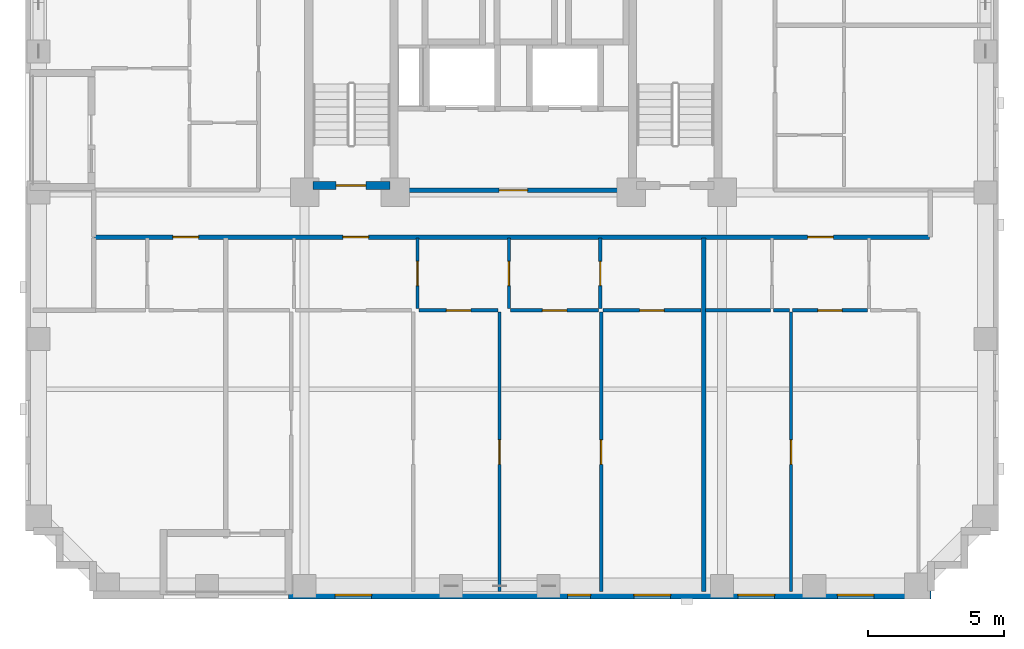
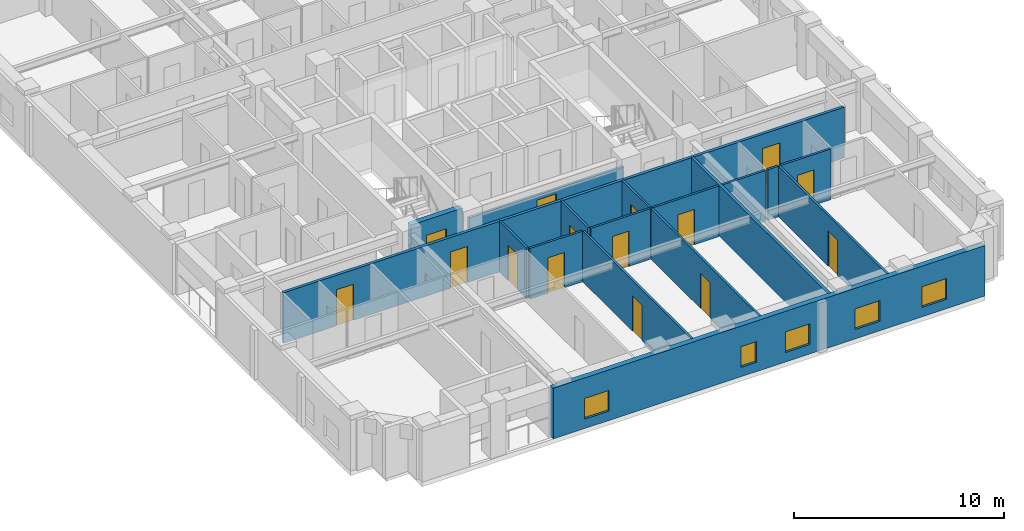
# One storey, part 3 of 12: 17 walls, 15 doors, 5 windows, 20 openings.
"""IFC4 building model written with IfcOpenShell, lengths in metres."""

from ifc_helpers import new_model, si_unit, derived_unit, direction, frame, frame_2d, origin, place, context, subcontext, project, spatial, rectangle, extrude, material, layer, layer_set, type_object, element, fill, save


model = new_model("IFC4")

# Units and contexts
model_context = context("Model", 3, precision=1e-05, world=origin(), true_north=direction((0.0, 1.0)))
body_context = subcontext(model_context, "Body", "Model", "MODEL_VIEW")
ifc_project = project(units=[si_unit("LENGTHUNIT", "METRE"), si_unit("AREAUNIT", "SQUARE_METRE"), si_unit("VOLUMEUNIT", "CUBIC_METRE"), si_unit("PLANEANGLEUNIT", "RADIAN"), si_unit("MASSUNIT", "GRAM", prefix="KILO"), derived_unit("THERMALTRANSMITTANCEUNIT", [(si_unit("MASSUNIT", "GRAM", prefix="KILO"), 1), (si_unit("TIMEUNIT", "SECOND"), -3), (si_unit("THERMODYNAMICTEMPERATUREUNIT", "KELVIN"), -1)])], contexts=[model_context])

# Site, building, storey
site_placement = place(None, origin())
site = spatial("IfcSite", under=ifc_project, at=site_placement, CompositionType="ELEMENT")
building_placement = place(site_placement, origin())
building = spatial("IfcBuilding", under=site, at=building_placement, Name="Korrvale Station Residences", CompositionType="ELEMENT")
storey_placement = place(building_placement, frame((0.0, 0.0, 78.300048828125)))
storey = spatial("IfcBuildingStorey", under=building, at=storey_placement, Name="L21", CompositionType="ELEMENT", Elevation=78.300048828125)

# Wall, opening, door
ifc_material_1 = material(Name="Concrete C60/75", Category="concrete")
ifc_layer_1 = layer(ifc_material_1, 0.300048828125, Name="Concrete C60/75")
ifc_layer_set_1 = layer_set([ifc_layer_1], Name="Concrete C60/75")
wall_type_1 = type_object("IfcWallType", Name="WAL-CORE-300-C60", PredefinedType="SHEAR", material=ifc_layer_set_1)
wall_1_placement = place(storey_placement, frame((18.10009765625, 15.25, 0.0), z_axis=(0.0, 0.0, 1.0), x_axis=(1.0, 0.0, 0.0)))
wall_1 = element("IfcWall", 1, at=wall_1_placement, inside=storey, type_object=wall_type_1, Name="L21 ST-1 Core Shear Wall South", PredefinedType="SHEAR", context=body_context, shape_type="SweptSolid", body=[
    extrude(rectangle(XDim=2.849853515625, YDim=0.300048828125, at=frame_2d((1.4248046875, 0.0))), origin(), (0.0, 0.0, 1.0), 2.93994140625),
])
opening_1_placement = place(wall_1_placement, frame((0.860107421875, 0.0, 0.0)))
opening_1 = element("IfcOpeningElement", 2, at=opening_1_placement, cuts=wall_1, Name="Opening SD-1100", PredefinedType="OPENING", context=body_context, shape_type="SweptSolid", body=[
    extrude(rectangle(XDim=1.10009765625, YDim=2.050048828125, at=frame_2d((0.550048828125, 1.02490234375))), frame((0.0, 0.16015625, 0.0), z_axis=(0.0, -1.0, 0.0), x_axis=(1.0, 0.0, 0.0)), (0.0, 0.0, 1.0), 0.320068359375),
])
ifc_material_2 = material(Name="Hollow-metal fire-rated stair door with closer", Category="steel")
door_type_1 = type_object("IfcDoorType", Name="DR-STAIR-1100", OperationType="NOTDEFINED", PredefinedType="DOOR", material=ifc_material_2)
door_1_placement = place(opening_1_placement, origin())
door_1 = element("IfcDoor", 3, at=door_1_placement, inside=storey, type_object=door_type_1, Name="L21 ST-1 Exit Stair Door", OperationType="SINGLE_SWING_LEFT", OverallHeight=2.050048828125, OverallWidth=1.10009765625, PredefinedType="DOOR", context=body_context, shape_type="SweptSolid", body=[
    extrude(rectangle(XDim=1.10009765625, YDim=2.050048828125, at=frame_2d((0.550048828125, 1.02490234375))), frame((0.0, 0.02490234375, 0.0), z_axis=(0.0, -1.0, 0.0), x_axis=(1.0, 0.0, 0.0)), (0.0, 0.0, 1.0), 0.050048828125),
])
fill(opening_1, door_1)

# Wall, openings, windows
ifc_material_3 = material(Name="Precast concrete C45/55", Category="concrete")
ifc_layer_2 = layer(ifc_material_3, 0.300048828125, Name="Precast concrete C45/55")
ifc_layer_set_2 = layer_set([ifc_layer_2], Name="Precast concrete C45/55")
wall_type_2 = type_object("IfcWallType", Name="WAL-EXT-PC300", PredefinedType="SOLIDWALL", material=ifc_layer_set_2)
wall_2_placement = place(storey_placement, frame((40.89990234375, 0.14990234375, 0.0), z_axis=(0.0, 0.0, 1.0), x_axis=(-1.0, 0.0, 0.0)))
wall_2 = element("IfcWall", 4, at=wall_2_placement, inside=storey, type_object=wall_type_2, Name="L21 South Exterior Precast Wall 1", PredefinedType="SOLIDWALL", context=body_context, shape_type="SweptSolid", body=[
    extrude(rectangle(XDim=23.699951171875, YDim=0.300048828125, at=frame_2d((11.85009765625, 0.0))), origin(), (0.0, 0.0, 1.0), 2.93994140625),
])
opening_2_placement = place(wall_2_placement, frame((20.625, 0.0, 0.550048828125)))
opening_2 = element("IfcOpeningElement", 5, at=opening_2_placement, cuts=wall_2, Name="Opening W-10", PredefinedType="OPENING", context=body_context, shape_type="SweptSolid", body=[
    extrude(rectangle(XDim=1.35009765625, YDim=1.199951171875, at=frame_2d((0.675048828125, 0.60009765625))), frame((0.0, 0.16015625, 0.0), z_axis=(0.0, -1.0, 0.0), x_axis=(1.0, 0.0, 0.0)), (0.0, 0.0, 1.0), 0.320068359375),
])
opening_3_placement = place(wall_2_placement, frame((12.550048828125, 0.0, 0.550048828125)))
opening_3 = element("IfcOpeningElement", 6, at=opening_3_placement, cuts=wall_2, Name="Opening W-11", PredefinedType="OPENING", context=body_context, shape_type="SweptSolid", body=[
    extrude(rectangle(XDim=0.85009765625, YDim=1.199951171875, at=frame_2d((0.425048828125, 0.60009765625))), frame((0.0, 0.16015625, 0.0), z_axis=(0.0, -1.0, 0.0), x_axis=(1.0, 0.0, 0.0)), (0.0, 0.0, 1.0), 0.320068359375),
])
opening_4_placement = place(wall_2_placement, frame((9.60009765625, 0.0, 0.550048828125)))
opening_4 = element("IfcOpeningElement", 7, at=opening_4_placement, cuts=wall_2, Name="Opening W-10", PredefinedType="OPENING", context=body_context, shape_type="SweptSolid", body=[
    extrude(rectangle(XDim=1.35009765625, YDim=1.199951171875, at=frame_2d((0.675048828125, 0.60009765625))), frame((0.0, 0.16015625, 0.0), z_axis=(0.0, -1.0, 0.0), x_axis=(1.0, 0.0, 0.0)), (0.0, 0.0, 1.0), 0.320068359375),
])
opening_5_placement = place(wall_2_placement, frame((5.764892578125, 0.0, 0.550048828125)))
opening_5 = element("IfcOpeningElement", 8, at=opening_5_placement, cuts=wall_2, Name="Opening W-10", PredefinedType="OPENING", context=body_context, shape_type="SweptSolid", body=[
    extrude(rectangle(XDim=1.35009765625, YDim=1.199951171875, at=frame_2d((0.675048828125, 0.60009765625))), frame((0.0, 0.16015625, 0.0), z_axis=(0.0, -1.0, 0.0), x_axis=(1.0, 0.0, 0.0)), (0.0, 0.0, 1.0), 0.320068359375),
])
opening_6_placement = place(wall_2_placement, frame((2.10009765625, 0.0, 0.550048828125)))
opening_6 = element("IfcOpeningElement", 9, at=opening_6_placement, cuts=wall_2, Name="Opening W-10", PredefinedType="OPENING", context=body_context, shape_type="SweptSolid", body=[
    extrude(rectangle(XDim=1.35009765625, YDim=1.199951171875, at=frame_2d((0.675048828125, 0.60009765625))), frame((0.0, 0.16015625, 0.0), z_axis=(0.0, -1.0, 0.0), x_axis=(1.0, 0.0, 0.0)), (0.0, 0.0, 1.0), 0.320068359375),
])
ifc_material_4 = material(Name="Thermally broken aluminium frame with triple low-e glazing", Category="aluminium")
window_type_1 = type_object("IfcWindowType", Name="WIN-W10", PartitioningType="SINGLE_PANEL", PredefinedType="WINDOW", material=ifc_material_4)
window_1_placement = place(opening_2_placement, origin())
window_1 = element("IfcWindow", 10, at=window_1_placement, inside=storey, type_object=window_type_1, Name="L21 Punched Window 03", OverallHeight=1.199951171875, OverallWidth=1.35009765625, PartitioningType="SINGLE_PANEL", PredefinedType="WINDOW", context=body_context, shape_type="SweptSolid", body=[
    extrude(rectangle(XDim=1.35009765625, YDim=1.199951171875, at=frame_2d((0.675048828125, 0.60009765625))), frame((0.0, 0.030029296875, 0.0), z_axis=(0.0, -1.0, 0.0), x_axis=(1.0, 0.0, 0.0)), (0.0, 0.0, 1.0), 0.06005859375),
])
fill(opening_2, window_1)
window_2_placement = place(opening_4_placement, origin())
window_2 = element("IfcWindow", 11, at=window_2_placement, inside=storey, type_object=window_type_1, Name="L21 Punched Window 05", OverallHeight=1.199951171875, OverallWidth=1.35009765625, PartitioningType="SINGLE_PANEL", PredefinedType="WINDOW", context=body_context, shape_type="SweptSolid", body=[
    extrude(rectangle(XDim=1.35009765625, YDim=1.199951171875, at=frame_2d((0.675048828125, 0.60009765625))), frame((0.0, 0.030029296875, 0.0), z_axis=(0.0, -1.0, 0.0), x_axis=(1.0, 0.0, 0.0)), (0.0, 0.0, 1.0), 0.06005859375),
])
fill(opening_4, window_2)
window_3_placement = place(opening_5_placement, origin())
window_3 = element("IfcWindow", 12, at=window_3_placement, inside=storey, type_object=window_type_1, Name="L21 Punched Window 06", OverallHeight=1.199951171875, OverallWidth=1.35009765625, PartitioningType="SINGLE_PANEL", PredefinedType="WINDOW", context=body_context, shape_type="SweptSolid", body=[
    extrude(rectangle(XDim=1.35009765625, YDim=1.199951171875, at=frame_2d((0.675048828125, 0.60009765625))), frame((0.0, 0.030029296875, 0.0), z_axis=(0.0, -1.0, 0.0), x_axis=(1.0, 0.0, 0.0)), (0.0, 0.0, 1.0), 0.06005859375),
])
fill(opening_5, window_3)
window_4_placement = place(opening_6_placement, origin())
window_4 = element("IfcWindow", 13, at=window_4_placement, inside=storey, type_object=window_type_1, Name="L21 Punched Window 07", OverallHeight=1.199951171875, OverallWidth=1.35009765625, PartitioningType="SINGLE_PANEL", PredefinedType="WINDOW", context=body_context, shape_type="SweptSolid", body=[
    extrude(rectangle(XDim=1.35009765625, YDim=1.199951171875, at=frame_2d((0.675048828125, 0.60009765625))), frame((0.0, 0.030029296875, 0.0), z_axis=(0.0, -1.0, 0.0), x_axis=(1.0, 0.0, 0.0)), (0.0, 0.0, 1.0), 0.06005859375),
])
fill(opening_6, window_4)
window_type_2 = type_object("IfcWindowType", Name="WIN-W11", PartitioningType="SINGLE_PANEL", PredefinedType="WINDOW", material=ifc_material_4)
window_5_placement = place(opening_3_placement, origin())
window_5 = element("IfcWindow", 14, at=window_5_placement, inside=storey, type_object=window_type_2, Name="L21 Punched Window 04", OverallHeight=1.199951171875, OverallWidth=0.85009765625, PartitioningType="SINGLE_PANEL", PredefinedType="WINDOW", context=body_context, shape_type="SweptSolid", body=[
    extrude(rectangle(XDim=0.85009765625, YDim=1.199951171875, at=frame_2d((0.425048828125, 0.60009765625))), frame((0.0, 0.030029296875, 0.0), z_axis=(0.0, -1.0, 0.0), x_axis=(1.0, 0.0, 0.0)), (0.0, 0.0, 1.0), 0.06005859375),
])
fill(opening_3, window_5)

# Wall, opening, door
ifc_material_5 = material(Name="Acoustic steel-stud gypsum board partition", Category="steel")
ifc_layer_3 = layer(ifc_material_5, 0.1201171875, Name="Acoustic steel-stud gypsum board partition")
ifc_layer_set_3 = layer_set([ifc_layer_3], Name="Acoustic steel-stud gypsum board partition")
wall_type_3 = type_object("IfcWallType", Name="WAL-PART-125", PredefinedType="PARTITIONING", material=ifc_layer_set_3)
wall_3_placement = place(storey_placement, frame((21.966064453125, 10.7099609375, 0.0), z_axis=(0.0, 0.0, 1.0), x_axis=(0.0, 1.0, 0.0)))
wall_3 = element("IfcWall", 15, at=wall_3_placement, inside=storey, type_object=wall_type_3, Name="L21 Suite Partition U02-V12", PredefinedType="PARTITIONING", context=body_context, shape_type="SweptSolid", body=[
    extrude(rectangle(XDim=2.60009765625, YDim=0.1201171875, at=frame_2d((1.300048828125, 0.0))), origin(), (0.0, 0.0, 1.0), 2.93994140625),
])
opening_7_placement = place(wall_3_placement, frame((0.85009765625, 0.0, 0.0)))
opening_7 = element("IfcOpeningElement", 16, at=opening_7_placement, cuts=wall_3, Name="Opening DI-900", PredefinedType="OPENING", context=body_context, shape_type="SweptSolid", body=[
    extrude(rectangle(XDim=0.89990234375, YDim=2.050048828125, at=frame_2d((0.449951171875, 1.02490234375))), frame((0.0, 0.070068359375, 0.0), z_axis=(0.0, -1.0, 0.0), x_axis=(1.0, 0.0, 0.0)), (0.0, 0.0, 1.0), 0.14013671875),
])
ifc_material_6 = material(Name="Painted solid-core timber interior room door", Category="wood")
door_type_2 = type_object("IfcDoorType", Name="DR-INT-900", OperationType="NOTDEFINED", PredefinedType="DOOR", material=ifc_material_6)
door_2_placement = place(opening_7_placement, origin())
door_2 = element("IfcDoor", 17, at=door_2_placement, inside=storey, type_object=door_type_2, Name="L21 Apartment 2BR L21-U02 Kitchen Door", OperationType="SINGLE_SWING_RIGHT", OverallHeight=2.050048828125, OverallWidth=0.89990234375, PredefinedType="DOOR", context=body_context, shape_type="SweptSolid", body=[
    extrude(rectangle(XDim=0.89990234375, YDim=2.050048828125, at=frame_2d((0.449951171875, 1.02490234375))), frame((0.0, 0.02490234375, 0.0), z_axis=(0.0, -1.0, 0.0), x_axis=(1.0, 0.0, 0.0)), (0.0, 0.0, 1.0), 0.050048828125),
])
fill(opening_7, door_2)

wall_4_placement = place(storey_placement, frame((25.3359375, 10.7099609375, 0.0), z_axis=(0.0, 0.0, 1.0), x_axis=(0.0, 1.0, 0.0)))
wall_4 = element("IfcWall", 18, at=wall_4_placement, inside=storey, type_object=wall_type_3, Name="L21 Suite Partition U02-V23", PredefinedType="PARTITIONING", context=body_context, shape_type="SweptSolid", body=[
    extrude(rectangle(XDim=2.60009765625, YDim=0.1201171875, at=frame_2d((1.300048828125, 0.0))), origin(), (0.0, 0.0, 1.0), 2.93994140625),
])
opening_8_placement = place(wall_4_placement, frame((0.85009765625, 0.0, 0.0)))
opening_8 = element("IfcOpeningElement", 19, at=opening_8_placement, cuts=wall_4, Name="Opening DI-900", PredefinedType="OPENING", context=body_context, shape_type="SweptSolid", body=[
    extrude(rectangle(XDim=0.89990234375, YDim=2.050048828125, at=frame_2d((0.449951171875, 1.02490234375))), frame((0.0, 0.070068359375, 0.0), z_axis=(0.0, -1.0, 0.0), x_axis=(1.0, 0.0, 0.0)), (0.0, 0.0, 1.0), 0.14013671875),
])
door_3_placement = place(opening_8_placement, origin())
door_3 = element("IfcDoor", 20, at=door_3_placement, inside=storey, type_object=door_type_2, Name="L21 Apartment 2BR L21-U02 Home Study Room Door", OperationType="SINGLE_SWING_RIGHT", OverallHeight=2.050048828125, OverallWidth=0.89990234375, PredefinedType="DOOR", context=body_context, shape_type="SweptSolid", body=[
    extrude(rectangle(XDim=0.89990234375, YDim=2.050048828125, at=frame_2d((0.449951171875, 1.02490234375))), frame((0.0, 0.02490234375, 0.0), z_axis=(0.0, -1.0, 0.0), x_axis=(1.0, 0.0, 0.0)), (0.0, 0.0, 1.0), 0.050048828125),
])
fill(opening_8, door_3)

wall_5_placement = place(storey_placement, frame((22.02587890625, 10.64990234375, 0.0), z_axis=(0.0, 0.0, 1.0), x_axis=(1.0, 0.0, 0.0)))
wall_5 = element("IfcWall", 21, at=wall_5_placement, inside=storey, type_object=wall_type_3, Name="L21 Suite Partition U02-H27", PredefinedType="PARTITIONING", context=body_context, shape_type="SweptSolid", body=[
    extrude(rectangle(XDim=2.905029296875, YDim=0.1201171875, at=frame_2d((1.45263671875, 0.0))), origin(), (0.0, 0.0, 1.0), 2.93994140625),
])
opening_9_placement = place(wall_5_placement, frame((1.0029296875, 0.0, 0.0)))
opening_9 = element("IfcOpeningElement", 22, at=opening_9_placement, cuts=wall_5, Name="Opening DI-900", PredefinedType="OPENING", context=body_context, shape_type="SweptSolid", body=[
    extrude(rectangle(XDim=0.89990234375, YDim=2.050048828125, at=frame_2d((0.449951171875, 1.02490234375))), frame((0.0, 0.070068359375, 0.0), z_axis=(0.0, -1.0, 0.0), x_axis=(1.0, 0.0, 0.0)), (0.0, 0.0, 1.0), 0.14013671875),
])
door_4_placement = place(opening_9_placement, origin())
door_4 = element("IfcDoor", 23, at=door_4_placement, inside=storey, type_object=door_type_2, Name="L21 Apartment 2BR L21-U02 Home Study Room Door", OperationType="SINGLE_SWING_LEFT", OverallHeight=2.050048828125, OverallWidth=0.89990234375, PredefinedType="DOOR", context=body_context, shape_type="SweptSolid", body=[
    extrude(rectangle(XDim=0.89990234375, YDim=2.050048828125, at=frame_2d((0.449951171875, 1.02490234375))), frame((0.0, 0.02490234375, 0.0), z_axis=(0.0, -1.0, 0.0), x_axis=(1.0, 0.0, 0.0)), (0.0, 0.0, 1.0), 0.050048828125),
])
fill(opening_9, door_4)

wall_6_placement = place(storey_placement, frame((28.7060546875, 10.7099609375, 0.0), z_axis=(0.0, 0.0, 1.0), x_axis=(0.0, 1.0, 0.0)))
wall_6 = element("IfcWall", 24, at=wall_6_placement, inside=storey, type_object=wall_type_3, Name="L21 Suite Partition U02-V34", PredefinedType="PARTITIONING", context=body_context, shape_type="SweptSolid", body=[
    extrude(rectangle(XDim=2.60009765625, YDim=0.1201171875, at=frame_2d((1.300048828125, 0.0))), origin(), (0.0, 0.0, 1.0), 2.93994140625),
])
opening_10_placement = place(wall_6_placement, frame((0.85009765625, 0.0, 0.0)))
opening_10 = element("IfcOpeningElement", 25, at=opening_10_placement, cuts=wall_6, Name="Opening DI-900", PredefinedType="OPENING", context=body_context, shape_type="SweptSolid", body=[
    extrude(rectangle(XDim=0.89990234375, YDim=2.050048828125, at=frame_2d((0.449951171875, 1.02490234375))), frame((0.0, 0.070068359375, 0.0), z_axis=(0.0, -1.0, 0.0), x_axis=(1.0, 0.0, 0.0)), (0.0, 0.0, 1.0), 0.14013671875),
])
door_5_placement = place(opening_10_placement, origin())
door_5 = element("IfcDoor", 26, at=door_5_placement, inside=storey, type_object=door_type_2, Name="L21 Apartment 2BR L21-U02 Home Study Room Door", OperationType="SINGLE_SWING_RIGHT", OverallHeight=2.050048828125, OverallWidth=0.89990234375, PredefinedType="DOOR", context=body_context, shape_type="SweptSolid", body=[
    extrude(rectangle(XDim=0.89990234375, YDim=2.050048828125, at=frame_2d((0.449951171875, 1.02490234375))), frame((0.0, 0.02490234375, 0.0), z_axis=(0.0, -1.0, 0.0), x_axis=(1.0, 0.0, 0.0)), (0.0, 0.0, 1.0), 0.050048828125),
])
fill(opening_10, door_5)

wall_7_placement = place(storey_placement, frame((25.39599609375, 10.64990234375, 0.0), z_axis=(0.0, 0.0, 1.0), x_axis=(1.0, 0.0, 0.0)))
wall_7 = element("IfcWall", 27, at=wall_7_placement, inside=storey, type_object=wall_type_3, Name="L21 Suite Partition U02-H38", PredefinedType="PARTITIONING", context=body_context, shape_type="SweptSolid", body=[
    extrude(rectangle(XDim=3.25, YDim=0.1201171875, at=frame_2d((1.625, 0.0))), origin(), (0.0, 0.0, 1.0), 2.93994140625),
])
opening_11_placement = place(wall_7_placement, frame((1.175048828125, 0.0, 0.0)))
opening_11 = element("IfcOpeningElement", 28, at=opening_11_placement, cuts=wall_7, Name="Opening DI-900", PredefinedType="OPENING", context=body_context, shape_type="SweptSolid", body=[
    extrude(rectangle(XDim=0.89990234375, YDim=2.050048828125, at=frame_2d((0.449951171875, 1.02490234375))), frame((0.0, 0.070068359375, 0.0), z_axis=(0.0, -1.0, 0.0), x_axis=(1.0, 0.0, 0.0)), (0.0, 0.0, 1.0), 0.14013671875),
])
door_6_placement = place(opening_11_placement, origin())
door_6 = element("IfcDoor", 29, at=door_6_placement, inside=storey, type_object=door_type_2, Name="L21 Apartment 2BR L21-U02 Home Study Room Door", OperationType="SINGLE_SWING_LEFT", OverallHeight=2.050048828125, OverallWidth=0.89990234375, PredefinedType="DOOR", context=body_context, shape_type="SweptSolid", body=[
    extrude(rectangle(XDim=0.89990234375, YDim=2.050048828125, at=frame_2d((0.449951171875, 1.02490234375))), frame((0.0, 0.02490234375, 0.0), z_axis=(0.0, -1.0, 0.0), x_axis=(1.0, 0.0, 0.0)), (0.0, 0.0, 1.0), 0.050048828125),
])
fill(opening_11, door_6)

wall_8_placement = place(storey_placement, frame((28.798095703125, 10.64990234375, 0.0), z_axis=(0.0, 0.0, 1.0), x_axis=(1.0, 0.0, 0.0)))
wall_8 = element("IfcWall", 30, at=wall_8_placement, inside=storey, type_object=wall_type_3, Name="L21 Suite Partition U02-H49", PredefinedType="PARTITIONING", context=body_context, shape_type="SweptSolid", body=[
    extrude(rectangle(XDim=3.6279296875, YDim=0.1201171875, at=frame_2d((1.81396484375, 0.0))), origin(), (0.0, 0.0, 1.0), 2.93994140625),
])
opening_12_placement = place(wall_8_placement, frame((1.364013671875, 0.0, 0.0)))
opening_12 = element("IfcOpeningElement", 31, at=opening_12_placement, cuts=wall_8, Name="Opening DI-900", PredefinedType="OPENING", context=body_context, shape_type="SweptSolid", body=[
    extrude(rectangle(XDim=0.89990234375, YDim=2.050048828125, at=frame_2d((0.449951171875, 1.02490234375))), frame((0.0, 0.070068359375, 0.0), z_axis=(0.0, -1.0, 0.0), x_axis=(1.0, 0.0, 0.0)), (0.0, 0.0, 1.0), 0.14013671875),
])
door_7_placement = place(opening_12_placement, origin())
door_7 = element("IfcDoor", 32, at=door_7_placement, inside=storey, type_object=door_type_2, Name="L21 Apartment 2BR L21-U02 Utility and Laundry Room Door", OperationType="SINGLE_SWING_RIGHT", OverallHeight=2.050048828125, OverallWidth=0.89990234375, PredefinedType="DOOR", context=body_context, shape_type="SweptSolid", body=[
    extrude(rectangle(XDim=0.89990234375, YDim=2.050048828125, at=frame_2d((0.449951171875, 1.02490234375))), frame((0.0, 0.02490234375, 0.0), z_axis=(0.0, -1.0, 0.0), x_axis=(1.0, 0.0, 0.0)), (0.0, 0.0, 1.0), 0.050048828125),
])
fill(opening_12, door_7)

wall_9_placement = place(storey_placement, frame((24.990966796875, 0.280029296875, 0.0), z_axis=(0.0, 0.0, 1.0), x_axis=(0.0, 1.0, 0.0)))
wall_9 = element("IfcWall", 33, at=wall_9_placement, inside=storey, type_object=wall_type_3, Name="L21 Suite Partition U02-V78", PredefinedType="PARTITIONING", context=body_context, shape_type="SweptSolid", body=[
    extrude(rectangle(XDim=10.31005859375, YDim=0.1201171875, at=frame_2d((5.155029296875, 0.0))), origin(), (0.0, 0.0, 1.0), 2.93994140625),
])
opening_13_placement = place(wall_9_placement, frame((4.68994140625, 0.0, 0.0)))
opening_13 = element("IfcOpeningElement", 34, at=opening_13_placement, cuts=wall_9, Name="Opening DI-900", PredefinedType="OPENING", context=body_context, shape_type="SweptSolid", body=[
    extrude(rectangle(XDim=0.89990234375, YDim=2.050048828125, at=frame_2d((0.449951171875, 1.02490234375))), frame((0.0, 0.070068359375, 0.0), z_axis=(0.0, -1.0, 0.0), x_axis=(1.0, 0.0, 0.0)), (0.0, 0.0, 1.0), 0.14013671875),
])
door_8_placement = place(opening_13_placement, origin())
door_8 = element("IfcDoor", 35, at=door_8_placement, inside=storey, type_object=door_type_2, Name="L21 Apartment 2BR L21-U02 Wardrobe Storage Room Door", OperationType="SINGLE_SWING_LEFT", OverallHeight=2.050048828125, OverallWidth=0.89990234375, PredefinedType="DOOR", context=body_context, shape_type="SweptSolid", body=[
    extrude(rectangle(XDim=0.89990234375, YDim=2.050048828125, at=frame_2d((0.449951171875, 1.02490234375))), frame((0.0, 0.02490234375, 0.0), z_axis=(0.0, -1.0, 0.0), x_axis=(1.0, 0.0, 0.0)), (0.0, 0.0, 1.0), 0.050048828125),
])
fill(opening_13, door_8)

wall_10_placement = place(storey_placement, frame((28.738037109375, 0.280029296875, 0.0), z_axis=(0.0, 0.0, 1.0), x_axis=(0.0, 1.0, 0.0)))
wall_10 = element("IfcWall", 36, at=wall_10_placement, inside=storey, type_object=wall_type_3, Name="L21 Suite Partition U02-V89", PredefinedType="PARTITIONING", context=body_context, shape_type="SweptSolid", body=[
    extrude(rectangle(XDim=10.31005859375, YDim=0.1201171875, at=frame_2d((5.155029296875, 0.0))), origin(), (0.0, 0.0, 1.0), 2.93994140625),
])
opening_14_placement = place(wall_10_placement, frame((4.68994140625, 0.0, 0.0)))
opening_14 = element("IfcOpeningElement", 37, at=opening_14_placement, cuts=wall_10, Name="Opening DI-900", PredefinedType="OPENING", context=body_context, shape_type="SweptSolid", body=[
    extrude(rectangle(XDim=0.89990234375, YDim=2.050048828125, at=frame_2d((0.449951171875, 1.02490234375))), frame((0.0, 0.070068359375, 0.0), z_axis=(0.0, -1.0, 0.0), x_axis=(1.0, 0.0, 0.0)), (0.0, 0.0, 1.0), 0.14013671875),
])
door_9_placement = place(opening_14_placement, origin())
door_9 = element("IfcDoor", 38, at=door_9_placement, inside=storey, type_object=door_type_2, Name="L21 Apartment 2BR L21-U02 Bedroom 1 Door", OperationType="SINGLE_SWING_RIGHT", OverallHeight=2.050048828125, OverallWidth=0.89990234375, PredefinedType="DOOR", context=body_context, shape_type="SweptSolid", body=[
    extrude(rectangle(XDim=0.89990234375, YDim=2.050048828125, at=frame_2d((0.449951171875, 1.02490234375))), frame((0.0, 0.02490234375, 0.0), z_axis=(0.0, -1.0, 0.0), x_axis=(1.0, 0.0, 0.0)), (0.0, 0.0, 1.0), 0.050048828125),
])
fill(opening_14, door_9)

# Walls
wall_11_placement = place(storey_placement, frame((32.5859375, 10.64990234375, 0.0), z_axis=(0.0, 0.0, 1.0), x_axis=(1.0, 0.0, 0.0)))
element("IfcWall", 39, at=wall_11_placement, inside=storey, type_object=wall_type_3, Name="L21 Suite Partition U03-H03", PredefinedType="PARTITIONING", context=body_context, shape_type="SweptSolid", body=[
    extrude(rectangle(XDim=2.400146484375, YDim=0.1201171875, at=frame_2d((1.2001953125, 0.0))), origin(), (0.0, 0.0, 1.0), 2.93994140625),
])
wall_12_placement = place(storey_placement, frame((35.10595703125, 10.64990234375, 0.0), z_axis=(0.0, 0.0, 1.0), x_axis=(1.0, 0.0, 0.0)))
element("IfcWall", 40, at=wall_12_placement, inside=storey, type_object=wall_type_3, Name="L21 Suite Partition U03-H13", PredefinedType="PARTITIONING", context=body_context, shape_type="SweptSolid", body=[
    extrude(rectangle(XDim=0.580078125, YDim=0.1201171875, at=frame_2d((0.2900390625, 0.0))), origin(), (0.0, 0.0, 1.0), 2.93994140625),
])

# Wall, opening, door
wall_13_placement = place(storey_placement, frame((35.805908203125, 10.64990234375, 0.0), z_axis=(0.0, 0.0, 1.0), x_axis=(1.0, 0.0, 0.0)))
wall_13 = element("IfcWall", 41, at=wall_13_placement, inside=storey, type_object=wall_type_3, Name="L21 Suite Partition U03-H14", PredefinedType="PARTITIONING", context=body_context, shape_type="SweptSolid", body=[
    extrude(rectangle(XDim=2.75, YDim=0.1201171875, at=frame_2d((1.375, 0.0))), origin(), (0.0, 0.0, 1.0), 2.93994140625),
])
opening_15_placement = place(wall_13_placement, frame((0.925048828125, 0.0, 0.0)))
opening_15 = element("IfcOpeningElement", 42, at=opening_15_placement, cuts=wall_13, Name="Opening DI-900", PredefinedType="OPENING", context=body_context, shape_type="SweptSolid", body=[
    extrude(rectangle(XDim=0.89990234375, YDim=2.050048828125, at=frame_2d((0.449951171875, 1.02490234375))), frame((0.0, 0.070068359375, 0.0), z_axis=(0.0, -1.0, 0.0), x_axis=(1.0, 0.0, 0.0)), (0.0, 0.0, 1.0), 0.14013671875),
])
door_10_placement = place(opening_15_placement, origin())
door_10 = element("IfcDoor", 43, at=door_10_placement, inside=storey, type_object=door_type_2, Name="L21 Studio Apartment L21-U03 Kitchen Door", OperationType="SINGLE_SWING_LEFT", OverallHeight=2.050048828125, OverallWidth=0.89990234375, PredefinedType="DOOR", context=body_context, shape_type="SweptSolid", body=[
    extrude(rectangle(XDim=0.89990234375, YDim=2.050048828125, at=frame_2d((0.449951171875, 1.02490234375))), frame((0.0, 0.02490234375, 0.0), z_axis=(0.0, -1.0, 0.0), x_axis=(1.0, 0.0, 0.0)), (0.0, 0.0, 1.0), 0.050048828125),
])
fill(opening_15, door_10)

wall_14_placement = place(storey_placement, frame((35.74609375, 0.280029296875, 0.0), z_axis=(0.0, 0.0, 1.0), x_axis=(0.0, 1.0, 0.0)))
wall_14 = element("IfcWall", 44, at=wall_14_placement, inside=storey, type_object=wall_type_3, Name="L21 Suite Partition U03-V34", PredefinedType="PARTITIONING", context=body_context, shape_type="SweptSolid", body=[
    extrude(rectangle(XDim=10.31005859375, YDim=0.1201171875, at=frame_2d((5.155029296875, 0.0))), origin(), (0.0, 0.0, 1.0), 2.93994140625),
])
opening_16_placement = place(wall_14_placement, frame((4.68994140625, 0.0, 0.0)))
opening_16 = element("IfcOpeningElement", 45, at=opening_16_placement, cuts=wall_14, Name="Opening DI-900", PredefinedType="OPENING", context=body_context, shape_type="SweptSolid", body=[
    extrude(rectangle(XDim=0.89990234375, YDim=2.050048828125, at=frame_2d((0.449951171875, 1.02490234375))), frame((0.0, 0.070068359375, 0.0), z_axis=(0.0, -1.0, 0.0), x_axis=(1.0, 0.0, 0.0)), (0.0, 0.0, 1.0), 0.14013671875),
])
door_11_placement = place(opening_16_placement, origin())
door_11 = element("IfcDoor", 46, at=door_11_placement, inside=storey, type_object=door_type_2, Name="L21 Studio Apartment L21-U03 Formal Dining Room Door", OperationType="SINGLE_SWING_LEFT", OverallHeight=2.050048828125, OverallWidth=0.89990234375, PredefinedType="DOOR", context=body_context, shape_type="SweptSolid", body=[
    extrude(rectangle(XDim=0.89990234375, YDim=2.050048828125, at=frame_2d((0.449951171875, 1.02490234375))), frame((0.0, 0.02490234375, 0.0), z_axis=(0.0, -1.0, 0.0), x_axis=(1.0, 0.0, 0.0)), (0.0, 0.0, 1.0), 0.050048828125),
])
fill(opening_16, door_11)

ifc_material_7 = material(Name="Fire-rated twin-stud gypsum and mineral wool shaftwall assembly", Category="gypsum")
ifc_layer_4 = layer(ifc_material_7, 0.159912109375, Name="Fire-rated twin-stud gypsum and mineral wool shaftwall assembly")
ifc_layer_set_4 = layer_set([ifc_layer_4], Name="Fire-rated twin-stud gypsum and mineral wool shaftwall assembly")
wall_type_4 = type_object("IfcWallType", Name="WAL-PART-200", PredefinedType="PARTITIONING", material=ifc_layer_set_4)
wall_15_placement = place(storey_placement, frame((21.25, 15.080078125, 0.0), z_axis=(0.0, 0.0, 1.0), x_axis=(1.0, 0.0, 0.0)))
wall_15 = element("IfcWall", 47, at=wall_15_placement, inside=storey, type_object=wall_type_4, Name="L21 Core Partition CW-FFL-S", PredefinedType="PARTITIONING", context=body_context, shape_type="SweptSolid", body=[
    extrude(rectangle(XDim=8.5, YDim=0.159912109375, at=frame_2d((4.25, 0.0))), origin(), (0.0, 0.0, 1.0), 2.308837890625),
])
opening_17_placement = place(wall_15_placement, frame((3.72509765625, 0.0, 0.0)))
opening_17 = element("IfcOpeningElement", 48, at=opening_17_placement, cuts=wall_15, Name="Opening FD-1050", PredefinedType="OPENING", context=body_context, shape_type="SweptSolid", body=[
    extrude(rectangle(XDim=1.050048828125, YDim=2.050048828125, at=frame_2d((0.52490234375, 1.02490234375))), frame((0.0, 0.08984375, 0.0), z_axis=(0.0, -1.0, 0.0), x_axis=(1.0, 0.0, 0.0)), (0.0, 0.0, 1.0), 0.179931640625),
])
ifc_material_8 = material(Name="Fire-rated mineral-core timber lobby door", Category="wood")
door_type_3 = type_object("IfcDoorType", Name="DR-CORE-1050", OperationType="NOTDEFINED", PredefinedType="DOOR", material=ifc_material_8)
door_12_placement = place(opening_17_placement, origin())
door_12 = element("IfcDoor", 49, at=door_12_placement, inside=storey, type_object=door_type_3, Name="L21 Firefighting Lobby Entry Door", OperationType="SINGLE_SWING_RIGHT", OverallHeight=2.050048828125, OverallWidth=1.050048828125, PredefinedType="DOOR", context=body_context, shape_type="SweptSolid", body=[
    extrude(rectangle(XDim=1.050048828125, YDim=2.050048828125, at=frame_2d((0.52490234375, 1.02490234375))), frame((0.0, 0.02490234375, 0.0), z_axis=(0.0, -1.0, 0.0), x_axis=(1.0, 0.0, 0.0)), (0.0, 0.0, 1.0), 0.050048828125),
])
fill(opening_17, door_12)

# Wall
wall_16_placement = place(storey_placement, frame((32.52587890625, 0.280029296875, 0.0), z_axis=(0.0, 0.0, 1.0), x_axis=(0.0, 1.0, 0.0)))
element("IfcWall", 50, at=wall_16_placement, inside=storey, type_object=wall_type_4, Name="L21 Demising Wall U03-W", PredefinedType="PARTITIONING", context=body_context, shape_type="SweptSolid", body=[
    extrude(rectangle(XDim=13.030029296875, YDim=0.159912109375, at=frame_2d((6.51513671875, 0.0))), origin(), (0.0, 0.0, 1.0), 2.93994140625),
])

# Wall, openings, doors
wall_17_placement = place(storey_placement, frame((10.050048828125, 13.35009765625, 0.0), z_axis=(0.0, 0.0, 1.0), x_axis=(1.0, 0.0, 0.0)))
wall_17 = element("IfcWall", 51, at=wall_17_placement, inside=storey, type_object=wall_type_4, Name="L21 Rated Corridor Wall S", PredefinedType="PARTITIONING", context=body_context, shape_type="SweptSolid", body=[
    extrude(rectangle(XDim=30.800048828125, YDim=0.159912109375, at=frame_2d((15.39990234375, 0.0))), origin(), (0.0, 0.0, 1.0), 2.93994140625),
])
opening_18_placement = place(wall_17_placement, frame((2.89306640625, 0.0, 0.0)))
opening_18 = element("IfcOpeningElement", 52, at=opening_18_placement, cuts=wall_17, Name="Opening UD-950", PredefinedType="OPENING", context=body_context, shape_type="SweptSolid", body=[
    extrude(rectangle(XDim=0.949951171875, YDim=2.10009765625, at=frame_2d((0.47509765625, 1.050048828125))), frame((0.0, 0.08984375, 0.0), z_axis=(0.0, -1.0, 0.0), x_axis=(1.0, 0.0, 0.0)), (0.0, 0.0, 1.0), 0.179931640625),
])
opening_19_placement = place(wall_17_placement, frame((9.160888671875, 0.0, 0.0)))
opening_19 = element("IfcOpeningElement", 53, at=opening_19_placement, cuts=wall_17, Name="Opening UD-950", PredefinedType="OPENING", context=body_context, shape_type="SweptSolid", body=[
    extrude(rectangle(XDim=0.949951171875, YDim=2.10009765625, at=frame_2d((0.47509765625, 1.050048828125))), frame((0.0, 0.08984375, 0.0), z_axis=(0.0, -1.0, 0.0), x_axis=(1.0, 0.0, 0.0)), (0.0, 0.0, 1.0), 0.179931640625),
])
opening_20_placement = place(wall_17_placement, frame((26.305908203125, 0.0, 0.0)))
opening_20 = element("IfcOpeningElement", 54, at=opening_20_placement, cuts=wall_17, Name="Opening UD-950", PredefinedType="OPENING", context=body_context, shape_type="SweptSolid", body=[
    extrude(rectangle(XDim=0.949951171875, YDim=2.10009765625, at=frame_2d((0.47509765625, 1.050048828125))), frame((0.0, 0.08984375, 0.0), z_axis=(0.0, -1.0, 0.0), x_axis=(1.0, 0.0, 0.0)), (0.0, 0.0, 1.0), 0.179931640625),
])
ifc_material_9 = material(Name="Solid-core acoustic oak apartment entrance door", Category="timber")
door_type_4 = type_object("IfcDoorType", Name="DR-UNIT-950", OperationType="NOTDEFINED", PredefinedType="DOOR", material=ifc_material_9)
door_13_placement = place(opening_18_placement, origin())
door_13 = element("IfcDoor", 55, at=door_13_placement, inside=storey, type_object=door_type_4, Name="L21 Apartment L21-U01 Entrance Door", OperationType="SINGLE_SWING_LEFT", OverallHeight=2.10009765625, OverallWidth=0.949951171875, PredefinedType="DOOR", context=body_context, shape_type="SweptSolid", body=[
    extrude(rectangle(XDim=0.949951171875, YDim=2.10009765625, at=frame_2d((0.47509765625, 1.050048828125))), frame((0.0, 0.02490234375, 0.0), z_axis=(0.0, -1.0, 0.0), x_axis=(1.0, 0.0, 0.0)), (0.0, 0.0, 1.0), 0.050048828125),
])
fill(opening_18, door_13)
door_14_placement = place(opening_19_placement, origin())
door_14 = element("IfcDoor", 56, at=door_14_placement, inside=storey, type_object=door_type_4, Name="L21 Apartment L21-U02 Entrance Door", OperationType="SINGLE_SWING_RIGHT", OverallHeight=2.10009765625, OverallWidth=0.949951171875, PredefinedType="DOOR", context=body_context, shape_type="SweptSolid", body=[
    extrude(rectangle(XDim=0.949951171875, YDim=2.10009765625, at=frame_2d((0.47509765625, 1.050048828125))), frame((0.0, 0.02490234375, 0.0), z_axis=(0.0, -1.0, 0.0), x_axis=(1.0, 0.0, 0.0)), (0.0, 0.0, 1.0), 0.050048828125),
])
fill(opening_19, door_14)
door_15_placement = place(opening_20_placement, origin())
door_15 = element("IfcDoor", 57, at=door_15_placement, inside=storey, type_object=door_type_4, Name="L21 Apartment L21-U03 Entrance Door", OperationType="SINGLE_SWING_LEFT", OverallHeight=2.10009765625, OverallWidth=0.949951171875, PredefinedType="DOOR", context=body_context, shape_type="SweptSolid", body=[
    extrude(rectangle(XDim=0.949951171875, YDim=2.10009765625, at=frame_2d((0.47509765625, 1.050048828125))), frame((0.0, 0.02490234375, 0.0), z_axis=(0.0, -1.0, 0.0), x_axis=(1.0, 0.0, 0.0)), (0.0, 0.0, 1.0), 0.050048828125),
])
fill(opening_20, door_15)

save(model, "model.ifc")
